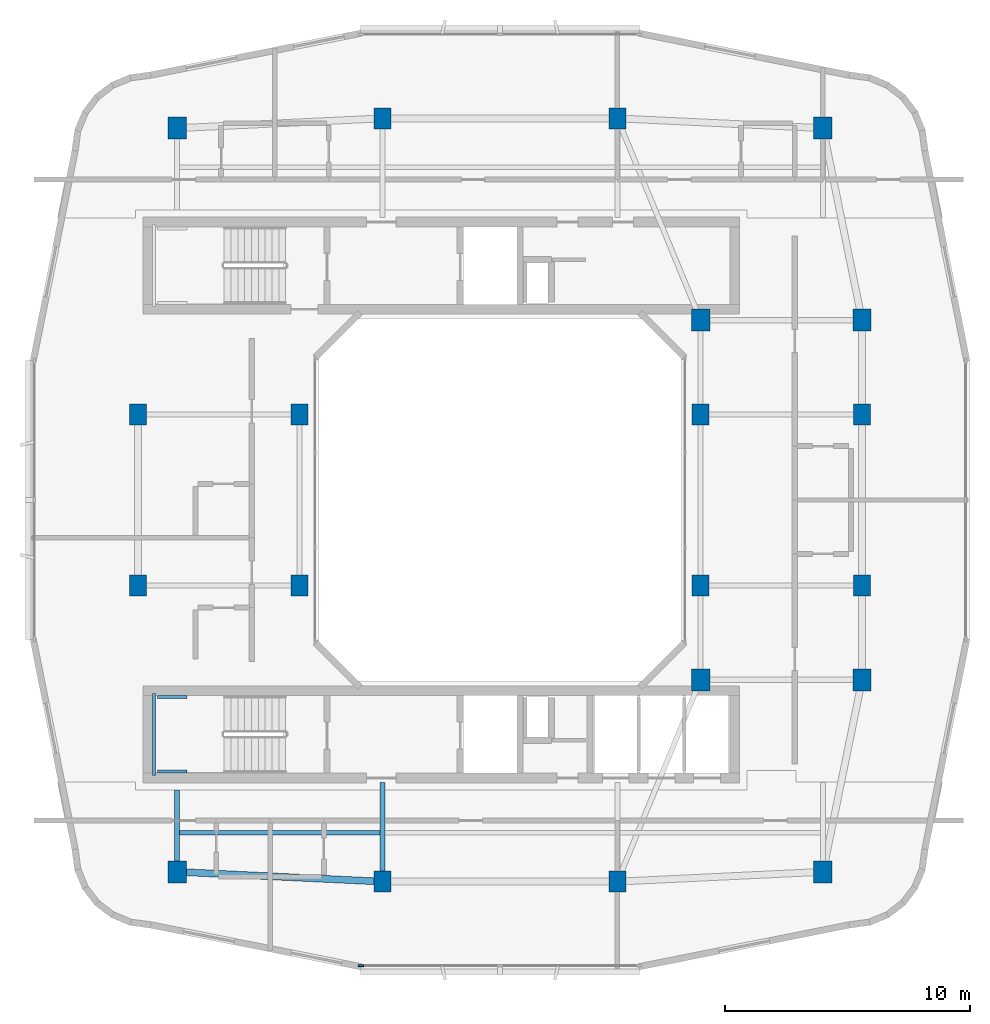
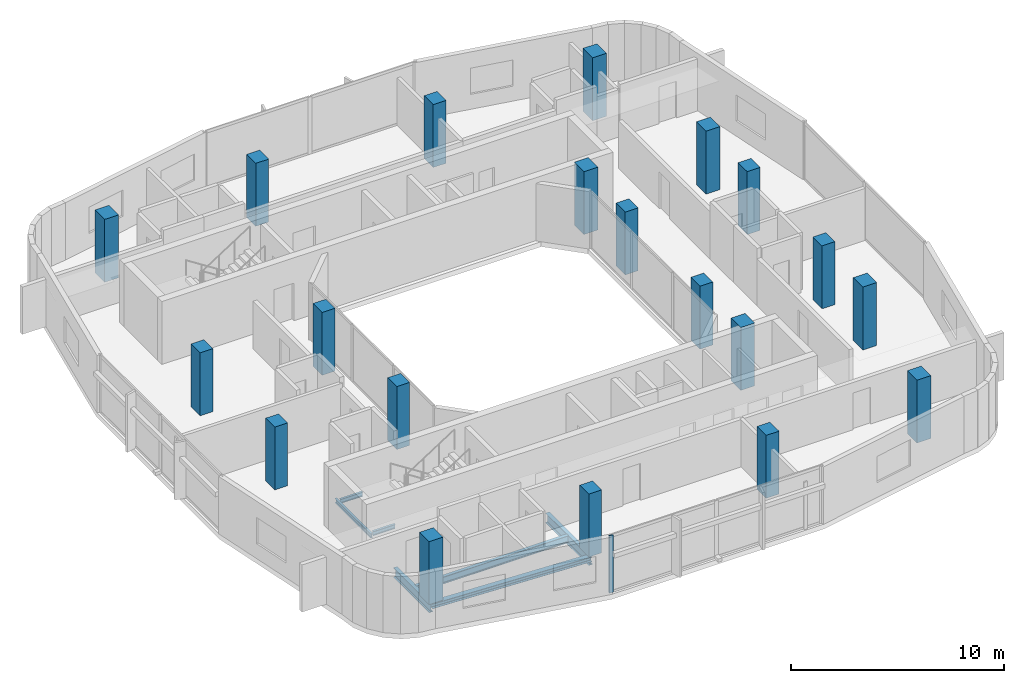
# One storey, part 1 of 13: 20 columns, 7 beams, 1 member, 1 element without a shape of its own.
"""IFC4 building model written with IfcOpenShell, lengths in metres."""

import ifcopenshell
import ifcopenshell.guid

model = None  # the IFC model being written
_history = None  # IfcOwnerHistory: only IFC2X3 demands one
_inside = {}  # id of a spatial element -> (the spatial element, [elements in it])
_under = {}  # id of a project, library or spatial element -> (it, [spatial elements below it])
_declared = {}  # id of a project -> (the project, [libraries it declares])
_typed = {}  # id of a type object -> (the type object, [elements of that type])
_made_of = {}  # id of a material, layer set ... -> (it, [elements and type objects made of it])


def new_model(schema):
    """Start an empty IFC model of exactly this schema.

    Asked for "IFC4X3", IfcOpenShell would pick the latest addendum, in which some entities
    have other attributes; the version numbers below select the first issue.
    IFC2X3 requires an IfcOwnerHistory on every rooted entity: one is made here for all.
    """
    global model, _history
    if schema == "IFC4X3":
        model = ifcopenshell.file(schema_version=(4, 3, 0, 0))
    else:
        model = ifcopenshell.file(schema=schema)
    _inside.clear()
    _under.clear()
    _declared.clear()
    _typed.clear()
    _made_of.clear()
    _history = None
    if model.schema == "IFC2X3":
        org = make("IfcOrganization", Name="unknown")
        user = make(
            "IfcPersonAndOrganization",
            ThePerson=make("IfcPerson", FamilyName="unknown"),
            TheOrganization=org,
        )
        app = make(
            "IfcApplication",
            ApplicationDeveloper=org,
            Version="unknown",
            ApplicationFullName="unknown",
            ApplicationIdentifier="unknown",
        )
        _history = make(
            "IfcOwnerHistory",
            OwningUser=user,
            OwningApplication=app,
            ChangeAction="ADDED",
            CreationDate=0,
        )
    return model


def make(cls, **values):
    """One entity of the class cls with the attributes given. An attribute that is None is left unset."""
    return model.create_entity(
        cls, **{name: value for name, value in values.items() if value is not None}
    )


def rooted(cls, **values):
    """An entity with a GlobalId (a new one), such as an element, a storey or a relation."""
    return make(cls, GlobalId=ifcopenshell.guid.new(), OwnerHistory=_history, **values)


def si_unit(unit_type, name, prefix=None):
    """IfcSIUnit, for example si_unit("LENGTHUNIT", "METRE", prefix="MILLI")."""
    return make("IfcSIUnit", UnitType=unit_type, Prefix=prefix, Name=name)


def derived_unit(unit_type, elements):
    """IfcDerivedUnit: a product of units, each with its exponent."""
    return make(
        "IfcDerivedUnit",
        Elements=[
            make("IfcDerivedUnitElement", Unit=unit, Exponent=power)
            for unit, power in elements
        ],
        UnitType=unit_type,
    )


def assignment(units):
    """IfcUnitAssignment: the units of a project."""
    return None if units is None else make("IfcUnitAssignment", Units=units)


def point(xyz):
    """IfcCartesianPoint."""
    return None if xyz is None else make("IfcCartesianPoint", Coordinates=xyz)


def direction(xyz):
    """IfcDirection."""
    return None if xyz is None else make("IfcDirection", DirectionRatios=xyz)


def frame(location, z_axis=None, x_axis=None):
    """IfcAxis2Placement3D, a coordinate frame: its origin and axes. An axis left out is left unset."""
    return make(
        "IfcAxis2Placement3D",
        Location=point(location),
        Axis=direction(z_axis),
        RefDirection=direction(x_axis),
    )


def frame_2d(location, x_axis=None):
    """IfcAxis2Placement2D, a coordinate frame in the plane: its origin and x axis."""
    return make(
        "IfcAxis2Placement2D", Location=point(location), RefDirection=direction(x_axis)
    )


def origin():
    """The frame at (0, 0, 0) with its axes left unset."""
    return frame((0.0, 0.0, 0.0))


def origin_2d():
    """The frame at (0, 0) in the plane with its x axis left unset."""
    return frame_2d((0.0, 0.0))


def place(relative_to, where):
    """IfcLocalPlacement: puts the frame where relative to a parent placement (None: the world)."""
    return make(
        "IfcLocalPlacement", PlacementRelTo=relative_to, RelativePlacement=where
    )


def context(
    kind, dimensions, precision=None, world=None, true_north=None, identifier=None
):
    """IfcGeometricRepresentationContext, for example the 3D "Model" context."""
    return make(
        "IfcGeometricRepresentationContext",
        ContextIdentifier=identifier,
        ContextType=kind,
        CoordinateSpaceDimension=dimensions,
        Precision=precision,
        WorldCoordinateSystem=world,
        TrueNorth=true_north,
    )


def subcontext(parent, identifier, kind, view, scale=None):
    """IfcGeometricRepresentationSubContext, for example "Body" below "Model"."""
    return make(
        "IfcGeometricRepresentationSubContext",
        ContextIdentifier=identifier,
        ContextType=kind,
        ParentContext=parent,
        TargetScale=scale,
        TargetView=view,
    )


def project(units=None, contexts=None):
    """IfcProject with its units and contexts."""
    return rooted(
        "IfcProject",
        Name="project",
        RepresentationContexts=contexts,
        UnitsInContext=assignment(units),
    )


def spatial(cls, under=None, at=None, **own):
    """A site, building, storey or space (cls), placed at a placement, below another one or the project."""
    s = rooted(cls, ObjectPlacement=at, **own)
    if under is not None:
        _under.setdefault(under.id(), (under, []))[1].append(s)
    return s


def profile(cls, at=None, kind="AREA", **sizes):
    """A parametric profile (cls). Its sizes go by their IFC names, for example OverallWidth=200.0."""
    return make(cls, ProfileType=kind, Position=at, **sizes)


def rectangle(**sizes):
    """IfcRectangleProfileDef."""
    return profile("IfcRectangleProfileDef", **sizes)


def i_section(**sizes):
    """IfcIShapeProfileDef."""
    return profile("IfcIShapeProfileDef", **sizes)


def extrude(swept, where, along, depth):
    """IfcExtrudedAreaSolid: the profile swept, set in the frame where, extruded along a direction by depth."""
    return make(
        "IfcExtrudedAreaSolid",
        SweptArea=swept,
        Position=where,
        ExtrudedDirection=direction(along),
        Depth=depth,
    )


def shape(context_of_items, identifier, shape_type, items):
    """IfcShapeRepresentation: the items that make up one representation, for example the "Body"."""
    return make(
        "IfcShapeRepresentation",
        ContextOfItems=context_of_items,
        RepresentationIdentifier=identifier,
        RepresentationType=shape_type,
        Items=items,
    )


def material(Name=None, Category=None):
    """IfcMaterial."""
    return make("IfcMaterial", Name=Name, Category=Category)


def layer(
    of_material, thickness, ventilated=None, Name=None, Category=None, Priority=None
):
    """IfcMaterialLayer: one layer of a wall or slab, of a material (None: an air gap)."""
    return make(
        "IfcMaterialLayer",
        Material=of_material,
        LayerThickness=thickness,
        IsVentilated=ventilated,
        Name=Name,
        Category=Category,
        Priority=Priority,
    )


def layer_set(layers, Name=None):
    """IfcMaterialLayerSet."""
    return make("IfcMaterialLayerSet", MaterialLayers=layers, LayerSetName=Name)


def material_profile(
    of_material, cross_section, Name=None, Category=None, Priority=None
):
    """IfcMaterialProfile: a cross section and its material."""
    return make(
        "IfcMaterialProfile",
        Name=Name,
        Material=of_material,
        Profile=cross_section,
        Priority=Priority,
        Category=Category,
    )


def profile_set(profiles, Name=None, composite=None):
    """IfcMaterialProfileSet."""
    return make(
        "IfcMaterialProfileSet",
        Name=Name,
        MaterialProfiles=profiles,
        CompositeProfile=composite,
    )


def made_of(thing, what):
    """Note that an element or type object is made of a material, layer set ...; save() writes the relation."""
    if what is not None:
        _made_of.setdefault(what.id(), (what, []))[1].append(thing)
    return thing


def type_object(cls, material=None, **own):
    """A type object (cls), such as IfcWallType, which elements share."""
    return made_of(rooted(cls, **own), material)


def element(
    cls,
    number,
    at=None,
    inside=None,
    cuts=None,
    type_object=None,
    material=None,
    context=None,
    identifier="Body",
    shape_type=None,
    held_by="IfcProductDefinitionShape",
    body=None,
    shapes=None,
    **own,
):
    """One element of the class cls, such as IfcWall. Its Tag is "e" and its number.

    at: its placement. inside: the storey or other place that contains it. cuts: it is an
    opening in that element (IfcRelVoidsElement). A single representation is given by context,
    identifier, shape_type and body (its items); several are given by shapes. held_by: the class
    of the entity that holds the representations. save() writes the other relations.
    """
    e = rooted(cls, Tag="e%d" % number, ObjectPlacement=at, **own)
    if body is not None:
        shapes = [shape(context, identifier, shape_type, body)]
    if shapes is not None:
        e.Representation = make(held_by, Representations=shapes)
    if inside is not None:
        _inside.setdefault(inside.id(), (inside, []))[1].append(e)
    if cuts is not None:
        rooted(
            "IfcRelVoidsElement", RelatingBuildingElement=cuts, RelatedOpeningElement=e
        )
    if type_object is not None:
        _typed.setdefault(type_object.id(), (type_object, []))[1].append(e)
    return made_of(e, material)


def aggregate(whole, parts):
    """IfcRelAggregates: a whole, such as a stair, and the parts it consists of."""
    return rooted("IfcRelAggregates", RelatingObject=whole, RelatedObjects=parts)


def save(model, path):
    """Write the relations noted so far, then the file.

    IfcRelAggregates (storeys below a building ...), IfcRelContainedInSpatialStructure (elements
    in a storey), IfcRelDefinesByType, IfcRelAssociatesMaterial and IfcRelDeclares: one each for
    every whole, place, type object, material and project.
    """
    for whole, parts in _under.values():
        aggregate(whole, parts)
    for where, things in _inside.values():
        rooted(
            "IfcRelContainedInSpatialStructure",
            RelatedElements=things,
            RelatingStructure=where,
        )
    for kind, things in _typed.values():
        rooted("IfcRelDefinesByType", RelatedObjects=things, RelatingType=kind)
    for what, things in _made_of.values():
        rooted("IfcRelAssociatesMaterial", RelatedObjects=things, RelatingMaterial=what)
    for by, libraries in _declared.values():
        rooted("IfcRelDeclares", RelatingContext=by, RelatedDefinitions=libraries)
    model.write(path)


model = new_model("IFC4")

# Units and contexts
model_context = context("Model", 3, precision=1e-05, world=origin(), true_north=direction((0.0, 1.0)))
body_context = subcontext(model_context, "Body", "Model", "MODEL_VIEW")
ifc_project = project(units=[si_unit("LENGTHUNIT", "METRE"), si_unit("AREAUNIT", "SQUARE_METRE"), si_unit("VOLUMEUNIT", "CUBIC_METRE"), si_unit("PLANEANGLEUNIT", "RADIAN"), si_unit("MASSUNIT", "GRAM", prefix="KILO"), derived_unit("THERMALTRANSMITTANCEUNIT", [(si_unit("POWERUNIT", "WATT"), 1), (si_unit("LENGTHUNIT", "METRE"), -2), (si_unit("THERMODYNAMICTEMPERATUREUNIT", "KELVIN"), -1)])], contexts=[model_context])

# Site, building, storey
site_placement = place(None, origin())
site = spatial("IfcSite", under=ifc_project, at=site_placement, CompositionType="ELEMENT")
building_placement = place(site_placement, origin())
building = spatial("IfcBuilding", under=site, at=building_placement, Name="Kivonza Crest Hotel", CompositionType="ELEMENT")
storey_placement = place(building_placement, frame((0.0, 0.0, 235.10009765625)))
storey = spatial("IfcBuildingStorey", under=building, at=storey_placement, Name="L64", CompositionType="ELEMENT", Elevation=235.10009765625)

# Columns
ifc_material_1 = material(Name="Concrete C50/60", Category="concrete")
ifc_material_profile_1 = material_profile(ifc_material_1, rectangle(XDim=0.699951171875, YDim=0.85009765625, at=origin_2d()), Name="RC 850x700")
ifc_profile_set_1 = profile_set([ifc_material_profile_1], Name="Concrete C50/60")
column_type_1 = type_object("IfcColumnType", Name="CL-RC-850x700", PredefinedType="COLUMN", material=ifc_profile_set_1)
for number, where, z_axis, x_axis, name in (
    (1, (16.199951171875, 9.39990234375, 0.0), (0.0, 0.0, 1.0), (1.0, 0.0, 0.0), "Tower T1 L64 column S1"),
    (2, (25.800048828125, 9.39990234375, 0.0), (0.0, 0.0, 1.0), (1.0, 0.0, 0.0), "Tower T1 L64 column S2"),
    (3, (16.199951171875, 40.60009765625, 0.0), (0.0, 0.0, 1.0), (1.0, 0.0, 0.0), "Tower T1 L64 column N1"),
    (4, (25.800048828125, 40.60009765625, 0.0), (0.0, 0.0, 1.0), (1.0, 0.0, 0.0), "Tower T1 L64 column N2"),
    (5, (6.199951171875, 21.5, 0.0), (0.0, 0.0, 1.0), (1.0, 0.0, 0.0), "Tower T1 L64 column W1"),
    (6, (6.199951171875, 28.5, 0.0), (0.0, 0.0, 1.0), (1.0, 0.0, 0.0), "Tower T1 L64 column W2"),
    (7, (35.800048828125, 21.5, 0.0), (0.0, 0.0, 1.0), (1.0, 0.0, 0.0), "Tower T1 L64 column E1"),
    (8, (35.800048828125, 28.5, 0.0), (0.0, 0.0, 1.0), (1.0, 0.0, 0.0), "Tower T1 L64 column E2"),
    (9, (12.800048828125, 21.5, 0.0), (0.0, 0.0, 1.0), (1.0, 0.0, 0.0), "Tower T1 L64 column WL1"),
    (10, (12.800048828125, 28.5, 0.0), (0.0, 0.0, 1.0), (1.0, 0.0, 0.0), "Tower T1 L64 column WL2"),
    (11, (29.199951171875, 21.5, 0.0), (0.0, 0.0, 1.0), (1.0, 0.0, 0.0), "Tower T1 L64 column WR1"),
    (12, (29.199951171875, 28.5, 0.0), (0.0, 0.0, 1.0), (1.0, 0.0, 0.0), "Tower T1 L64 column WR2"),
):
    element("IfcColumn", number, at=place(storey_placement, frame(where, z_axis=z_axis, x_axis=x_axis)), inside=storey, type_object=column_type_1, Name=name, PredefinedType="COLUMN", context=body_context, shape_type="SweptSolid", body=[
        extrude(rectangle(XDim=0.699951171875, YDim=0.85009765625, at=origin_2d()), origin(), (0.0, 0.0, 1.0), 3.599853515625),
    ])
ifc_material_profile_2 = material_profile(ifc_material_1, rectangle(XDim=0.75, YDim=0.89990234375, at=origin_2d()), Name="RC 900x750")
ifc_profile_set_2 = profile_set([ifc_material_profile_2], Name="Concrete C50/60")
column_type_2 = type_object("IfcColumnType", Name="CL-RC-900x750", PredefinedType="COLUMN", material=ifc_profile_set_2)
for number, where, z_axis, x_axis, name in (
    (13, (7.800048828125, 9.800048828125, 0.0), (0.0, 0.0, 1.0), (1.0, 0.0, 0.0), "Tower T1 L64 column SW"),
    (14, (34.199951171875, 9.800048828125, 0.0), (0.0, 0.0, 1.0), (1.0, 0.0, 0.0), "Tower T1 L64 column SE"),
    (15, (34.199951171875, 40.199951171875, 0.0), (0.0, 0.0, 1.0), (1.0, 0.0, 0.0), "Tower T1 L64 column NE"),
    (16, (7.800048828125, 40.199951171875, 0.0), (0.0, 0.0, 1.0), (1.0, 0.0, 0.0), "Tower T1 L64 column NW"),
    (17, (35.800048828125, 17.64990234375, 0.0), (0.0, 0.0, 1.0), (1.0, 0.0, 0.0), "Tower T1 L64 column PSE"),
    (18, (35.800048828125, 32.35009765625, 0.0), (0.0, 0.0, 1.0), (1.0, 0.0, 0.0), "Tower T1 L64 column PNE"),
    (19, (29.199951171875, 17.64990234375, 0.0), (0.0, 0.0, 1.0), (1.0, 0.0, 0.0), "Tower T1 L64 column TSE"),
    (20, (29.199951171875, 32.35009765625, 0.0), (0.0, 0.0, 1.0), (1.0, 0.0, 0.0), "Tower T1 L64 column TNE"),
):
    element("IfcColumn", number, at=place(storey_placement, frame(where, z_axis=z_axis, x_axis=x_axis)), inside=storey, type_object=column_type_2, Name=name, PredefinedType="COLUMN", context=body_context, shape_type="SweptSolid", body=[
        extrude(rectangle(XDim=0.75, YDim=0.89990234375, at=origin_2d()), origin(), (0.0, 0.0, 1.0), 3.599853515625),
    ])

# Beams
ifc_material_2 = material(Name="Steel S355", Category="steel")
ifc_material_profile_3 = material_profile(ifc_material_2, i_section(OverallWidth=0.280029296875, OverallDepth=0.280029296875, WebThickness=0.010498046875, FlangeThickness=0.01806640625, FilletRadius=0.02392578125, at=origin_2d()), Name="HEB 280")
ifc_profile_set_3 = profile_set([ifc_material_profile_3], Name="Steel S355")
beam_type_1 = type_object("IfcBeamType", Name="BM-HEB280", PredefinedType="SPANDREL", material=ifc_profile_set_3)
beam_1_placement = place(storey_placement, frame((7.800048828125, 9.800048828125, -0.420166015625), z_axis=(0.998867283688, -0.047583080799, 0.0), x_axis=(0.047583080799, 0.998867283688, 0.0)))
element("IfcBeam", 21, at=beam_1_placement, inside=storey, type_object=beam_type_1, Name="Tower T1 L64 perimeter spandrel SW-S1", PredefinedType="SPANDREL", context=body_context, shape_type="SweptSolid", body=[
    extrude(i_section(OverallWidth=0.280029296875, OverallDepth=0.280029296875, WebThickness=0.010498046875, FlangeThickness=0.01806640625, FilletRadius=0.02392578125, at=origin_2d()), origin(), (0.0, 0.0, 1.0), 8.409423828125),
])
ifc_material_profile_4 = material_profile(ifc_material_2, i_section(OverallWidth=0.179931640625, OverallDepth=0.39990234375, WebThickness=0.008544921875, FlangeThickness=0.013427734375, FilletRadius=0.02099609375, at=origin_2d()), Name="IPE 400")
ifc_profile_set_4 = profile_set([ifc_material_profile_4], Name="Steel S355")
beam_type_2 = type_object("IfcBeamType", Name="BM-IPE400", PredefinedType="JOIST", material=ifc_profile_set_4)
beam_2_placement = place(storey_placement, frame((7.8798828125, 11.39990234375, -0.47998046875), z_axis=(1.0, 0.0, 0.0), x_axis=(0.0, 1.0, 0.0)))
element("IfcBeam", 22, at=beam_2_placement, inside=storey, type_object=beam_type_2, Name="Tower T1 L64 South-West floor joist", PredefinedType="JOIST", context=body_context, shape_type="SweptSolid", body=[
    extrude(i_section(OverallWidth=0.179931640625, OverallDepth=0.39990234375, WebThickness=0.008544921875, FlangeThickness=0.013427734375, FilletRadius=0.02099609375, at=origin_2d()), origin(), (0.0, 0.0, 1.0), 8.240234375),
])
ifc_material_profile_5 = material_profile(ifc_material_2, i_section(OverallWidth=0.2099609375, OverallDepth=0.550048828125, WebThickness=0.010986328125, FlangeThickness=0.01708984375, FilletRadius=0.02392578125, at=origin_2d()), Name="IPE 550")
ifc_profile_set_5 = profile_set([ifc_material_profile_5], Name="Steel S355")
beam_type_3 = type_object("IfcBeamType", Name="BM-IPE550", PredefinedType="BEAM", material=ifc_profile_set_5)
beam_3_placement = place(storey_placement, frame((7.800048828125, 9.800048828125, -0.55517578125), z_axis=(0.0, 1.0, 0.0), x_axis=(-1.0, 0.0, 0.0)))
element("IfcBeam", 23, at=beam_3_placement, inside=storey, type_object=beam_type_3, Name="Tower T1 L64 radial core girder RSW", PredefinedType="BEAM", context=body_context, shape_type="SweptSolid", body=[
    extrude(i_section(OverallWidth=0.2099609375, OverallDepth=0.550048828125, WebThickness=0.010986328125, FlangeThickness=0.01708984375, FilletRadius=0.02392578125, at=origin_2d()), origin(), (0.0, 0.0, 1.0), 3.349853515625),
])
beam_4_placement = place(storey_placement, frame((16.199951171875, 9.39990234375, -0.55517578125), z_axis=(0.0, 1.0, 0.0), x_axis=(-1.0, 0.0, 0.0)))
element("IfcBeam", 24, at=beam_4_placement, inside=storey, type_object=beam_type_3, Name="Tower T1 L64 radial core girder RS1", PredefinedType="BEAM", context=body_context, shape_type="SweptSolid", body=[
    extrude(i_section(OverallWidth=0.2099609375, OverallDepth=0.550048828125, WebThickness=0.010986328125, FlangeThickness=0.01708984375, FilletRadius=0.02392578125, at=origin_2d()), origin(), (0.0, 0.0, 1.0), 4.050048828125),
])
ifc_material_profile_6 = material_profile(ifc_material_2, i_section(OverallWidth=0.1201171875, OverallDepth=0.239990234375, WebThickness=0.006103515625, FlangeThickness=0.009765625, FilletRadius=0.014892578125, at=origin_2d()), Name="IPE 240")
ifc_profile_set_6 = profile_set([ifc_material_profile_6], Name="Steel S355")
beam_type_4 = type_object("IfcBeamType", Name="BM-LLDG-240", PredefinedType="BEAM", material=ifc_profile_set_6)
beam_5_placement = place(storey_placement, frame((6.860107421875, 13.739990234375, 1.47998046875), z_axis=(0.0, 1.0, 0.0), x_axis=(-1.0, 0.0, 0.0)))
element("IfcBeam", 25, at=beam_5_placement, inside=storey, type_object=beam_type_4, Name="Stair ST-T1-S L64 West landing corbel", PredefinedType="BEAM", context=body_context, shape_type="SweptSolid", body=[
    extrude(i_section(OverallWidth=0.1201171875, OverallDepth=0.239990234375, WebThickness=0.006103515625, FlangeThickness=0.009765625, FilletRadius=0.014892578125, at=origin_2d()), origin(), (0.0, 0.0, 1.0), 3.360107421875),
])
for number, where, z_axis, x_axis, name in (
    (26, (6.989990234375, 13.89990234375, 1.47998046875), (1.0, 0.0, 0.0), (0.0, 1.0, 0.0), "Stair ST-T1-S L64 South landing corbel"),
    (27, (6.989990234375, 16.93994140625, 1.47998046875), (1.0, 0.0, 0.0), (0.0, 1.0, 0.0), "Stair ST-T1-S L64 North landing corbel"),
):
    element("IfcBeam", number, at=place(storey_placement, frame(where, z_axis=z_axis, x_axis=x_axis)), inside=storey, type_object=beam_type_4, Name=name, PredefinedType="BEAM", context=body_context, shape_type="SweptSolid", body=[
        extrude(i_section(OverallWidth=0.1201171875, OverallDepth=0.239990234375, WebThickness=0.006103515625, FlangeThickness=0.009765625, FilletRadius=0.014892578125, at=origin_2d()), origin(), (0.0, 0.0, 1.0), 1.2099609375),
    ])

# Curtain wall, member
ifc_material_3 = material(Name="Anodised bronze aluminium and low-E double glazing", Category="aluminium")
ifc_layer = layer(ifc_material_3, 0.179931640625)
ifc_layer_set = layer_set([ifc_layer], Name="Anodised bronze aluminium and low-E double glazing")
curtain_wall_type = type_object("IfcCurtainWallType", Name="CW-SYS-3", PredefinedType="NOTDEFINED", material=ifc_layer_set)
curtain_wall_placement = place(storey_placement, origin())
curtain_wall = element("IfcCurtainWall", 28, at=curtain_wall_placement, inside=storey, type_object=curtain_wall_type, Name="L64 unitised curtain wall CW-T1-L64-08", PredefinedType="NOTDEFINED")
ifc_material_4 = material(Name="Anodised bronze aluminium", Category="aluminium")
ifc_material_profile_7 = material_profile(ifc_material_4, rectangle(XDim=0.074951171875, YDim=0.219970703125, at=origin_2d()), Name="CW-M 75x220")
ifc_profile_set_7 = profile_set([ifc_material_profile_7], Name="Anodised bronze aluminium")
member_type = type_object("IfcMemberType", Name="CW-MUL-75x220", PredefinedType="MULLION", material=ifc_profile_set_7)
member_placement = place(storey_placement, frame((15.3173828125, 5.9599609375, 0.0), z_axis=(0.0, 0.0, 1.0), x_axis=(0.0, 1.0, 0.0)))
member = element("IfcMember", 29, at=member_placement, type_object=member_type, Name="CW-3 mullion 1", PredefinedType="MULLION", context=body_context, shape_type="SweptSolid", body=[
    extrude(rectangle(XDim=0.074951171875, YDim=0.219970703125, at=origin_2d()), origin(), (0.0, 0.0, 1.0), 3.27978515625),
])
aggregate(curtain_wall, [member])

save(model, "model.ifc")
